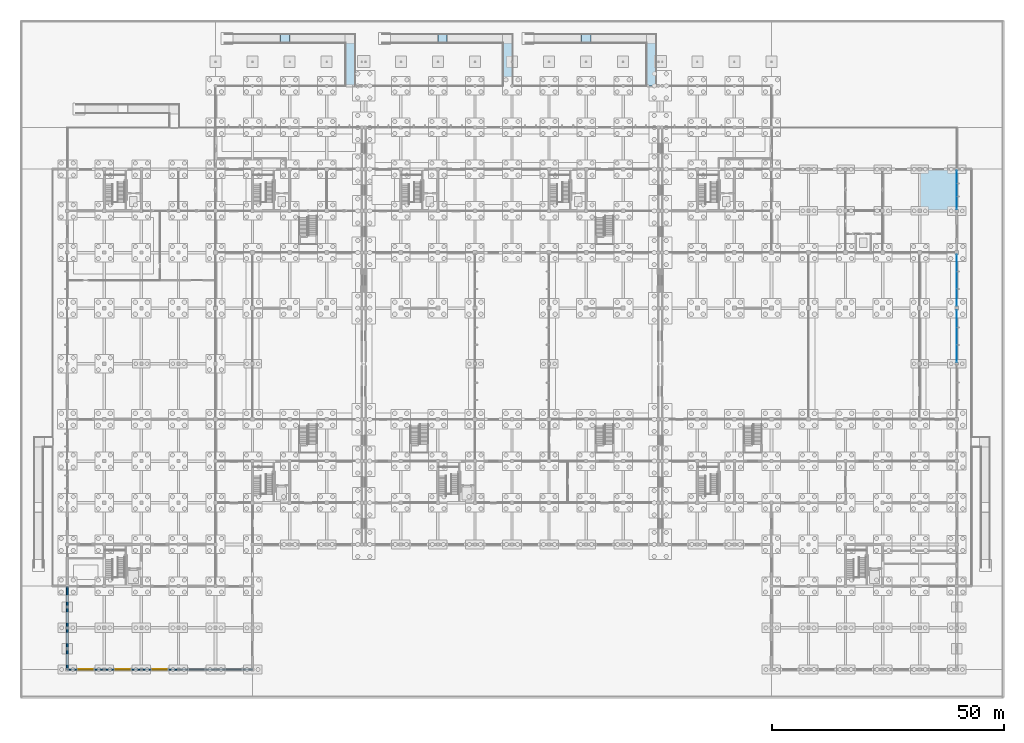
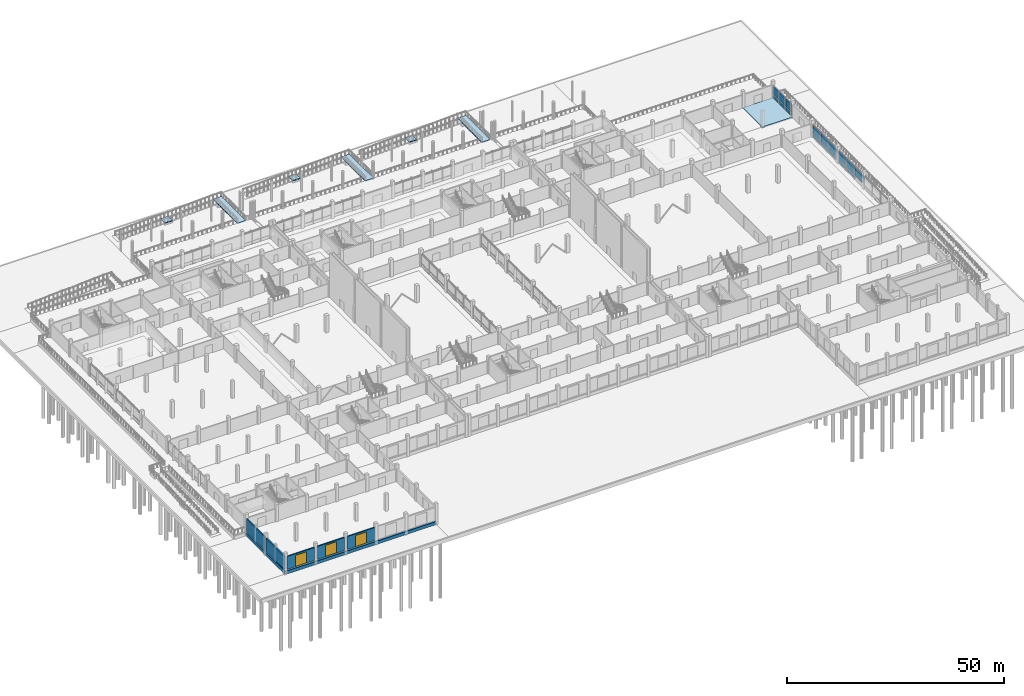
# One storey, part 39 of 72: 17 plates, 7 slabs, 7 walls, 3 doors, 3 openings, 6 elements without a shape of their own.
"""IFC4 building model written with IfcOpenShell, lengths in metres."""

from ifc_helpers import new_model, si_unit, direction, frame, frame_2d, origin, origin_2d, place, context, subcontext, project, spatial, polyline, rectangle, outline, extrude, material, layer, layer_set, type_object, element, fill, aggregate, save


model = new_model("IFC4")

# Units and contexts
model_context = context("Model", 3, precision=1e-05, world=origin(), true_north=direction((0.0, 1.0)))
body_context = subcontext(model_context, "Body", "Model", "MODEL_VIEW")
ifc_project = project(units=[si_unit("LENGTHUNIT", "METRE"), si_unit("AREAUNIT", "SQUARE_METRE"), si_unit("VOLUMEUNIT", "CUBIC_METRE"), si_unit("PLANEANGLEUNIT", "RADIAN"), si_unit("MASSUNIT", "GRAM", prefix="KILO"), si_unit("THERMODYNAMICTEMPERATUREUNIT", "KELVIN"), si_unit("POWERUNIT", "WATT")], contexts=[model_context])

# Site, building, storey
site_placement = place(None, origin())
site = spatial("IfcSite", under=ifc_project, at=site_placement, CompositionType="ELEMENT")
building_placement = place(site_placement, origin())
building = spatial("IfcBuilding", under=site, at=building_placement, Name="Kronsvod Quay Wholesale Market", CompositionType="ELEMENT")
storey_placement = place(building_placement, origin())
storey = spatial("IfcBuildingStorey", under=building, at=storey_placement, Name="L00", CompositionType="ELEMENT", Elevation=0.0)

# Curtain wall, plates
ifc_material_1 = material(Name="Thermally broken aluminium and triple low-E glazing", Category="aluminium")
curtain_wall_type_1 = type_object("IfcCurtainWallType", Name="CW_Wing90x33", PredefinedType="NOTDEFINED", material=ifc_material_1)
curtain_wall_1_placement = place(storey_placement, origin())
curtain_wall_1 = element("IfcCurtainWall", 1, at=curtain_wall_1_placement, inside=storey, type_object=curtain_wall_type_1, Name="CWGY-L00-1920-990", PredefinedType="NOTDEFINED")
ifc_material_2 = material(Name="Insulated aluminium spandrel panel", Category="aluminium")
ifc_layer_1 = layer(ifc_material_2, 0.048095703125)
ifc_layer_set_1 = layer_set([ifc_layer_1], Name="Insulated aluminium spandrel panel")
plate_type_1 = type_object("IfcPlateType", Name="CWPanel_SP2691x775", PredefinedType="CURTAIN_PANEL", material=ifc_layer_set_1)
plate_1_placement = place(storey_placement, frame((192.0, 100.71533203125, 0.150146484375), z_axis=(0.0, 0.0, 1.0), x_axis=(0.0, 1.0, 0.0)))
plate_1 = element("IfcPlate", 2, at=plate_1_placement, type_object=plate_type_1, Name="CWGY-L00-1920-990-PS1", PredefinedType="CURTAIN_PANEL", context=body_context, shape_type="SweptSolid", body=[
    extrude(rectangle(XDim=2.69091796875, YDim=0.048095703125, at=origin_2d()), origin(), (0.0, 0.0, 1.0), 0.77490234375),
])
plate_2_placement = place(storey_placement, frame((192.0, 106.28466796875, 0.150146484375), z_axis=(0.0, 0.0, 1.0), x_axis=(0.0, 1.0, 0.0)))
plate_2 = element("IfcPlate", 3, at=plate_2_placement, type_object=plate_type_1, Name="CWGY-L00-1920-990-PS3", PredefinedType="CURTAIN_PANEL", context=body_context, shape_type="SweptSolid", body=[
    extrude(rectangle(XDim=2.69091796875, YDim=0.048095703125, at=origin_2d()), origin(), (0.0, 0.0, 1.0), 0.77490234375),
])
ifc_material_3 = material(Name="Insulated aluminium spandrel panel", Category="aluminium")
ifc_layer_2 = layer(ifc_material_3, 0.048095703125)
ifc_layer_set_2 = layer_set([ifc_layer_2], Name="Insulated aluminium spandrel panel")
plate_type_2 = type_object("IfcPlateType", Name="CWPanel_SP2728x775", PredefinedType="CURTAIN_PANEL", material=ifc_layer_set_2)
plate_3_placement = place(storey_placement, frame((192.0, 103.5, 0.150146484375), z_axis=(0.0, 0.0, 1.0), x_axis=(0.0, 1.0, 0.0)))
plate_3 = element("IfcPlate", 4, at=plate_3_placement, type_object=plate_type_2, Name="CWGY-L00-1920-990-PS2", PredefinedType="CURTAIN_PANEL", context=body_context, shape_type="SweptSolid", body=[
    extrude(rectangle(XDim=2.72802734375, YDim=0.048095703125, at=origin_2d()), origin(), (0.0, 0.0, 1.0), 0.77490234375),
])

ifc_material_4 = material(Name="Thermally broken aluminium and triple low-E glazing", Category="aluminium")
curtain_wall_type_2 = type_object("IfcCurtainWallType", Name="CW_Flower120x32", PredefinedType="NOTDEFINED", material=ifc_material_4)
curtain_wall_2_placement = place(storey_placement, origin())
curtain_wall_2 = element("IfcCurtainWall", 5, at=curtain_wall_2_placement, inside=storey, type_object=curtain_wall_type_2, Name="CWGY-L00-1920-780", PredefinedType="NOTDEFINED")
ifc_material_5 = material(Name="Insulated aluminium spandrel panel", Category="aluminium")
ifc_layer_3 = layer(ifc_material_5, 0.048095703125)
ifc_layer_set_3 = layer_set([ifc_layer_3], Name="Insulated aluminium spandrel panel")
plate_type_3 = type_object("IfcPlateType", Name="CWPanel_SP3616x775", PredefinedType="CURTAIN_PANEL", material=ifc_layer_set_3)
plate_4_placement = place(storey_placement, frame((192.0, 80.302978515625, 0.150146484375), z_axis=(0.0, 0.0, 1.0), x_axis=(0.0, 1.0, 0.0)))
plate_4 = element("IfcPlate", 6, at=plate_4_placement, type_object=plate_type_3, Name="CWGY-L00-1920-780-PS1", PredefinedType="CURTAIN_PANEL", context=body_context, shape_type="SweptSolid", body=[
    extrude(rectangle(XDim=3.615966796875, YDim=0.048095703125, at=origin_2d()), origin(), (0.0, 0.0, 1.0), 0.77490234375),
])
plate_5_placement = place(storey_placement, frame((192.0, 87.72216796875, 0.150146484375), z_axis=(0.0, 0.0, 1.0), x_axis=(0.0, 1.0, 0.0)))
plate_5 = element("IfcPlate", 7, at=plate_5_placement, type_object=plate_type_3, Name="CWGY-L00-1920-780-PS3", PredefinedType="CURTAIN_PANEL", context=body_context, shape_type="SweptSolid", body=[
    extrude(rectangle(XDim=3.615966796875, YDim=0.048095703125, at=origin_2d()), origin(), (0.0, 0.0, 1.0), 0.77490234375),
])

# Curtain wall, plate
curtain_wall_3_placement = place(storey_placement, origin())
curtain_wall_3 = element("IfcCurtainWall", 8, at=curtain_wall_3_placement, inside=storey, type_object=curtain_wall_type_2, Name="CWGY-L00-1920-660", PredefinedType="NOTDEFINED")
ifc_material_6 = material(Name="Insulated aluminium spandrel panel", Category="aluminium")
ifc_layer_4 = layer(ifc_material_6, 0.048095703125)
ifc_layer_set_4 = layer_set([ifc_layer_4], Name="Insulated aluminium spandrel panel")
plate_type_4 = type_object("IfcPlateType", Name="CWPanel_SP3649x775", PredefinedType="CURTAIN_PANEL", material=ifc_layer_set_4)
plate_6_placement = place(storey_placement, frame((192.0, 75.680419921875, 0.150146484375), z_axis=(0.0, 0.0, 1.0), x_axis=(0.0, 1.0, 0.0)))
plate_6 = element("IfcPlate", 9, at=plate_6_placement, type_object=plate_type_4, Name="CWGY-L00-1920-660-PS3", PredefinedType="CURTAIN_PANEL", context=body_context, shape_type="SweptSolid", body=[
    extrude(rectangle(XDim=3.64892578125, YDim=0.048095703125, at=origin_2d()), origin(), (0.0, 0.0, 1.0), 0.77490234375),
])

# Plate
ifc_material_7 = material(Name="Insulated aluminium spandrel panel", Category="aluminium")
ifc_layer_5 = layer(ifc_material_7, 0.048095703125)
ifc_layer_set_5 = layer_set([ifc_layer_5], Name="Insulated aluminium spandrel panel")
plate_type_5 = type_object("IfcPlateType", Name="CWPanel_SP3653x775", PredefinedType="CURTAIN_PANEL", material=ifc_layer_set_5)
plate_7_placement = place(storey_placement, frame((192.0, 84.012451171875, 0.150146484375), z_axis=(0.0, 0.0, 1.0), x_axis=(0.0, 1.0, 0.0)))
plate_7 = element("IfcPlate", 10, at=plate_7_placement, type_object=plate_type_5, Name="CWGY-L00-1920-780-PS2", PredefinedType="CURTAIN_PANEL", context=body_context, shape_type="SweptSolid", body=[
    extrude(rectangle(XDim=3.653076171875, YDim=0.048095703125, at=origin_2d()), origin(), (0.0, 0.0, 1.0), 0.77490234375),
])

ifc_material_8 = material(Name="Insulated aluminium spandrel panel", Category="aluminium")
ifc_layer_6 = layer(ifc_material_8, 0.048095703125)
ifc_layer_set_6 = layer_set([ifc_layer_6], Name="Insulated aluminium spandrel panel")
plate_type_6 = type_object("IfcPlateType", Name="CWPanel_SP3687x775", PredefinedType="CURTAIN_PANEL", material=ifc_layer_set_6)
plate_8_placement = place(storey_placement, frame((192.0, 71.9375, 0.150146484375), z_axis=(0.0, 0.0, 1.0), x_axis=(0.0, 1.0, 0.0)))
plate_8 = element("IfcPlate", 11, at=plate_8_placement, type_object=plate_type_6, Name="CWGY-L00-1920-660-PS2", PredefinedType="CURTAIN_PANEL", context=body_context, shape_type="SweptSolid", body=[
    extrude(rectangle(XDim=3.68701171875, YDim=0.048095703125, at=origin_2d()), origin(), (0.0, 0.0, 1.0), 0.77490234375),
])

ifc_material_9 = material(Name="Triple low-E insulated glazing", Category="glass")
ifc_layer_7 = layer(ifc_material_9, 0.0439453125)
ifc_layer_set_7 = layer_set([ifc_layer_7], Name="Triple low-E insulated glazing")
plate_type_7 = type_object("IfcPlateType", Name="CWPanel_VS2691x2425", PredefinedType="CURTAIN_PANEL", material=ifc_layer_set_7)
plate_9_placement = place(storey_placement, frame((192.0, 100.71533203125, 1.0751953125), z_axis=(0.0, 0.0, 1.0), x_axis=(0.0, 1.0, 0.0)))
plate_9 = element("IfcPlate", 12, at=plate_9_placement, type_object=plate_type_7, Name="CWGY-L00-1920-990-PV1", PredefinedType="CURTAIN_PANEL", context=body_context, shape_type="SweptSolid", body=[
    extrude(rectangle(XDim=2.69091796875, YDim=0.0439453125, at=origin_2d()), origin(), (0.0, 0.0, 1.0), 2.425048828125),
])

plate_10_placement = place(storey_placement, frame((192.0, 106.28466796875, 1.0751953125), z_axis=(0.0, 0.0, 1.0), x_axis=(0.0, 1.0, 0.0)))
plate_10 = element("IfcPlate", 13, at=plate_10_placement, type_object=plate_type_7, Name="CWGY-L00-1920-990-PV3", PredefinedType="CURTAIN_PANEL", context=body_context, shape_type="SweptSolid", body=[
    extrude(rectangle(XDim=2.69091796875, YDim=0.0439453125, at=origin_2d()), origin(), (0.0, 0.0, 1.0), 2.425048828125),
])

ifc_material_10 = material(Name="Triple low-E insulated glazing", Category="glass")
ifc_layer_8 = layer(ifc_material_10, 0.0439453125)
ifc_layer_set_8 = layer_set([ifc_layer_8], Name="Triple low-E insulated glazing")
plate_type_8 = type_object("IfcPlateType", Name="CWPanel_VS2728x2425", PredefinedType="CURTAIN_PANEL", material=ifc_layer_set_8)
plate_11_placement = place(storey_placement, frame((192.0, 103.5, 1.0751953125), z_axis=(0.0, 0.0, 1.0), x_axis=(0.0, 1.0, 0.0)))
plate_11 = element("IfcPlate", 14, at=plate_11_placement, type_object=plate_type_8, Name="CWGY-L00-1920-990-PV2", PredefinedType="CURTAIN_PANEL", context=body_context, shape_type="SweptSolid", body=[
    extrude(rectangle(XDim=2.72802734375, YDim=0.0439453125, at=origin_2d()), origin(), (0.0, 0.0, 1.0), 2.425048828125),
])

aggregate(curtain_wall_1, [plate_1, plate_9, plate_3, plate_11, plate_2, plate_10])

ifc_material_11 = material(Name="Triple low-E insulated glazing", Category="glass")
ifc_layer_9 = layer(ifc_material_11, 0.0439453125)
ifc_layer_set_9 = layer_set([ifc_layer_9], Name="Triple low-E insulated glazing")
plate_type_9 = type_object("IfcPlateType", Name="CWPanel_VS3616x2425", PredefinedType="CURTAIN_PANEL", material=ifc_layer_set_9)
plate_12_placement = place(storey_placement, frame((192.0, 80.302978515625, 1.0751953125), z_axis=(0.0, 0.0, 1.0), x_axis=(0.0, 1.0, 0.0)))
plate_12 = element("IfcPlate", 15, at=plate_12_placement, type_object=plate_type_9, Name="CWGY-L00-1920-780-PV1", PredefinedType="CURTAIN_PANEL", context=body_context, shape_type="SweptSolid", body=[
    extrude(rectangle(XDim=3.615966796875, YDim=0.0439453125, at=origin_2d()), origin(), (0.0, 0.0, 1.0), 2.425048828125),
])

plate_13_placement = place(storey_placement, frame((192.0, 87.72216796875, 1.0751953125), z_axis=(0.0, 0.0, 1.0), x_axis=(0.0, 1.0, 0.0)))
plate_13 = element("IfcPlate", 16, at=plate_13_placement, type_object=plate_type_9, Name="CWGY-L00-1920-780-PV3", PredefinedType="CURTAIN_PANEL", context=body_context, shape_type="SweptSolid", body=[
    extrude(rectangle(XDim=3.615966796875, YDim=0.0439453125, at=origin_2d()), origin(), (0.0, 0.0, 1.0), 2.425048828125),
])

ifc_material_12 = material(Name="Triple low-E insulated glazing", Category="glass")
ifc_layer_10 = layer(ifc_material_12, 0.0439453125)
ifc_layer_set_10 = layer_set([ifc_layer_10], Name="Triple low-E insulated glazing")
plate_type_10 = type_object("IfcPlateType", Name="CWPanel_VS3649x2425", PredefinedType="CURTAIN_PANEL", material=ifc_layer_set_10)
plate_14_placement = place(storey_placement, frame((192.0, 68.194580078125, 1.0751953125), z_axis=(0.0, 0.0, 1.0), x_axis=(0.0, 1.0, 0.0)))
plate_14 = element("IfcPlate", 17, at=plate_14_placement, type_object=plate_type_10, Name="CWGY-L00-1920-660-PV1", PredefinedType="CURTAIN_PANEL", context=body_context, shape_type="SweptSolid", body=[
    extrude(rectangle(XDim=3.64892578125, YDim=0.0439453125, at=origin_2d()), origin(), (0.0, 0.0, 1.0), 2.425048828125),
])

plate_15_placement = place(storey_placement, frame((192.0, 75.680419921875, 1.0751953125), z_axis=(0.0, 0.0, 1.0), x_axis=(0.0, 1.0, 0.0)))
plate_15 = element("IfcPlate", 18, at=plate_15_placement, type_object=plate_type_10, Name="CWGY-L00-1920-660-PV3", PredefinedType="CURTAIN_PANEL", context=body_context, shape_type="SweptSolid", body=[
    extrude(rectangle(XDim=3.64892578125, YDim=0.0439453125, at=origin_2d()), origin(), (0.0, 0.0, 1.0), 2.425048828125),
])

ifc_material_13 = material(Name="Triple low-E insulated glazing", Category="glass")
ifc_layer_11 = layer(ifc_material_13, 0.0439453125)
ifc_layer_set_11 = layer_set([ifc_layer_11], Name="Triple low-E insulated glazing")
plate_type_11 = type_object("IfcPlateType", Name="CWPanel_VS3653x2425", PredefinedType="CURTAIN_PANEL", material=ifc_layer_set_11)
plate_16_placement = place(storey_placement, frame((192.0, 84.012451171875, 1.0751953125), z_axis=(0.0, 0.0, 1.0), x_axis=(0.0, 1.0, 0.0)))
plate_16 = element("IfcPlate", 19, at=plate_16_placement, type_object=plate_type_11, Name="CWGY-L00-1920-780-PV2", PredefinedType="CURTAIN_PANEL", context=body_context, shape_type="SweptSolid", body=[
    extrude(rectangle(XDim=3.653076171875, YDim=0.0439453125, at=origin_2d()), origin(), (0.0, 0.0, 1.0), 2.425048828125),
])

aggregate(curtain_wall_2, [plate_4, plate_12, plate_7, plate_16, plate_5, plate_13])

ifc_material_14 = material(Name="Triple low-E insulated glazing", Category="glass")
ifc_layer_12 = layer(ifc_material_14, 0.0439453125)
ifc_layer_set_12 = layer_set([ifc_layer_12], Name="Triple low-E insulated glazing")
plate_type_12 = type_object("IfcPlateType", Name="CWPanel_VS3687x2425", PredefinedType="CURTAIN_PANEL", material=ifc_layer_set_12)
plate_17_placement = place(storey_placement, frame((192.0, 71.9375, 1.0751953125), z_axis=(0.0, 0.0, 1.0), x_axis=(0.0, 1.0, 0.0)))
plate_17 = element("IfcPlate", 20, at=plate_17_placement, type_object=plate_type_12, Name="CWGY-L00-1920-660-PV2", PredefinedType="CURTAIN_PANEL", context=body_context, shape_type="SweptSolid", body=[
    extrude(rectangle(XDim=3.68701171875, YDim=0.0439453125, at=origin_2d()), origin(), (0.0, 0.0, 1.0), 2.425048828125),
])

aggregate(curtain_wall_3, [plate_14, plate_8, plate_17, plate_6, plate_15])

# Slab
ifc_material_15 = material(Name="Concrete C35/45", Category="concrete")
ifc_layer_13 = layer(ifc_material_15, 0.320068359375)
ifc_layer_set_13 = layer_set([ifc_layer_13], Name="Concrete C35/45")
slab_type_1 = type_object("IfcSlabType", Name="Slab_Base320", PredefinedType="BASESLAB", material=ifc_layer_set_13)
slab_1_placement = place(storey_placement, frame((0.0, 0.0, -0.320068359375)))
element("IfcSlab", 21, at=slab_1_placement, inside=storey, type_object=slab_type_1, Name="SLB-L00-034", PredefinedType="BASESLAB", context=body_context, shape_type="SweptSolid", body=[
    extrude(outline(polyline([(184.0, 99.0), (192.0, 99.0), (192.0, 108.0), (184.0, 108.0), (184.0, 99.0)])), origin(), (0.0, 0.0, 1.0), 0.320068359375),
])

# Ramp, slabs
ifc_material_16 = material(Name="Concrete C35/45", Category="concrete")
ramp_type = type_object("IfcRampType", Name="Ramp_Accessible1to20", PredefinedType="STRAIGHT_RUN_RAMP", material=ifc_material_16)
ramp_1_placement = place(storey_placement, origin())
ramp_1 = element("IfcRamp", 22, at=ramp_1_placement, inside=storey, type_object=ramp_type, Name="RMP-N01", PredefinedType="STRAIGHT_RUN_RAMP")
ifc_material_17 = material(Name="Concrete C35/45", Category="concrete")
ifc_layer_14 = layer(ifc_material_17, 0.219970703125)
ifc_layer_set_14 = layer_set([ifc_layer_14], Name="Concrete C35/45")
slab_type_2 = type_object("IfcSlabType", Name="Slab_RampLanding220", PredefinedType="LANDING", material=ifc_layer_set_14)
slab_2_placement = place(storey_placement, frame((0.0, 0.0, -0.820068359375)))
slab_2 = element("IfcSlab", 23, at=slab_2_placement, type_object=slab_type_2, Name="RMP-N01-LND", PredefinedType="LANDING", context=body_context, shape_type="SweptSolid", body=[
    extrude(outline(polyline([(46.0, 135.199951171875), (48.0, 135.199951171875), (48.0, 137.199951171875), (46.0, 137.199951171875), (46.0, 135.199951171875)])), origin(), (0.0, 0.0, 1.0), 0.219970703125),
])
slab_3_placement = place(storey_placement, frame((0.0, 0.0, -0.219970703125)))
slab_3 = element("IfcSlab", 24, at=slab_3_placement, type_object=slab_type_2, Name="RMP-N01-TOP", PredefinedType="LANDING", context=body_context, shape_type="SweptSolid", body=[
    extrude(outline(polyline([(60.0, 126.0), (62.199951171875, 126.0), (62.199951171875, 137.199951171875), (60.0, 137.199951171875), (60.0, 126.0)])), origin(), (0.0, 0.0, 1.0), 0.219970703125),
])
aggregate(ramp_1, [slab_2, slab_3])

ramp_2_placement = place(storey_placement, origin())
ramp_2 = element("IfcRamp", 25, at=ramp_2_placement, inside=storey, type_object=ramp_type, Name="RMP-N02", PredefinedType="STRAIGHT_RUN_RAMP")
slab_4_placement = place(storey_placement, frame((0.0, 0.0, -0.820068359375)))
slab_4 = element("IfcSlab", 26, at=slab_4_placement, type_object=slab_type_2, Name="RMP-N02-LND", PredefinedType="LANDING", context=body_context, shape_type="SweptSolid", body=[
    extrude(outline(polyline([(80.0, 135.199951171875), (82.0, 135.199951171875), (82.0, 137.199951171875), (80.0, 137.199951171875), (80.0, 135.199951171875)])), origin(), (0.0, 0.0, 1.0), 0.219970703125),
])
slab_5_placement = place(storey_placement, frame((0.0, 0.0, -0.219970703125)))
slab_5 = element("IfcSlab", 27, at=slab_5_placement, type_object=slab_type_2, Name="RMP-N02-TOP", PredefinedType="LANDING", context=body_context, shape_type="SweptSolid", body=[
    extrude(outline(polyline([(94.0, 126.0), (96.199951171875, 126.0), (96.199951171875, 137.199951171875), (94.0, 137.199951171875), (94.0, 126.0)])), origin(), (0.0, 0.0, 1.0), 0.219970703125),
])
aggregate(ramp_2, [slab_4, slab_5])

ramp_3_placement = place(storey_placement, origin())
ramp_3 = element("IfcRamp", 28, at=ramp_3_placement, inside=storey, type_object=ramp_type, Name="RMP-N03", PredefinedType="STRAIGHT_RUN_RAMP")
slab_6_placement = place(storey_placement, frame((0.0, 0.0, -0.820068359375)))
slab_6 = element("IfcSlab", 29, at=slab_6_placement, type_object=slab_type_2, Name="RMP-N03-LND", PredefinedType="LANDING", context=body_context, shape_type="SweptSolid", body=[
    extrude(outline(polyline([(111.0, 135.199951171875), (113.0, 135.199951171875), (113.0, 137.199951171875), (111.0, 137.199951171875), (111.0, 135.199951171875)])), origin(), (0.0, 0.0, 1.0), 0.219970703125),
])
slab_7_placement = place(storey_placement, frame((0.0, 0.0, -0.219970703125)))
slab_7 = element("IfcSlab", 30, at=slab_7_placement, type_object=slab_type_2, Name="RMP-N03-TOP", PredefinedType="LANDING", context=body_context, shape_type="SweptSolid", body=[
    extrude(outline(polyline([(125.0, 126.0), (127.199951171875, 126.0), (127.199951171875, 137.199951171875), (125.0, 137.199951171875), (125.0, 126.0)])), origin(), (0.0, 0.0, 1.0), 0.219970703125),
])
aggregate(ramp_3, [slab_6, slab_7])

# Walls
ifc_material_18 = material(Name="Precast concrete C40/50", Category="concrete")
ifc_layer_15 = layer(ifc_material_18, 0.340087890625)
ifc_layer_set_15 = layer_set([ifc_layer_15], Name="Precast concrete C40/50")
wall_type_1 = type_object("IfcWallType", Name="Wall_ExtColdSandwich340", PredefinedType="SOLIDWALL", material=ifc_layer_set_15)
for number, where, z_axis, x_axis, name in (
    (31, (0.0, 8.695068359375, 0.0), (0.0, 0.0, 1.0), (0.0, -1.0, 0.0), "EW-Y-L00-0013"),
    (32, (0.0, 17.695068359375, 0.0), (0.0, 0.0, 1.0), (0.0, -1.0, 0.0), "EW-Y-L00-0014"),
):
    element("IfcWall", number, at=place(storey_placement, frame(where, z_axis=z_axis, x_axis=x_axis)), inside=storey, type_object=wall_type_1, Name=name, PredefinedType="SOLIDWALL", context=body_context, shape_type="SweptSolid", body=[
        extrude(rectangle(XDim=8.39013671875, YDim=0.340087890625, at=frame_2d((4.195068359375, 0.0))), origin(), (0.0, 0.0, 1.0), 3.64990234375),
    ])

# Wall, opening, door
ifc_material_19 = material(Name="Precast concrete C40/50", Category="concrete")
ifc_layer_16 = layer(ifc_material_19, 0.320068359375)
ifc_layer_set_16 = layer_set([ifc_layer_16], Name="Precast concrete C40/50")
wall_type_2 = type_object("IfcWallType", Name="Wall_ExtPrecast320", PredefinedType="SOLIDWALL", material=ifc_layer_set_16)
wall_1_placement = place(storey_placement, frame((0.405029296875, 0.0, 0.0), z_axis=(0.0, 0.0, 1.0), x_axis=(1.0, 0.0, 0.0)))
wall_1 = element("IfcWall", 33, at=wall_1_placement, inside=storey, type_object=wall_type_2, Name="EW-X-L00-0001", PredefinedType="SOLIDWALL", context=body_context, shape_type="SweptSolid", body=[
    extrude(rectangle(XDim=7.25, YDim=0.320068359375, at=frame_2d((3.625, 0.0))), origin(), (0.0, 0.0, 1.0), 3.64990234375),
])
opening_1_placement = place(wall_1_placement, frame((2.125, 0.0, 0.0)))
opening_1 = element("IfcOpeningElement", 34, at=opening_1_placement, cuts=wall_1, Name="Opening ED-001", PredefinedType="OPENING", context=body_context, shape_type="SweptSolid", body=[
    extrude(rectangle(XDim=3.0, YDim=3.199951171875, at=frame_2d((1.5, 1.60009765625))), frame((0.0, 0.169921875, 0.0), z_axis=(0.0, -1.0, 0.0), x_axis=(1.0, 0.0, 0.0)), (0.0, 0.0, 1.0), 0.340087890625),
])
ifc_material_20 = material(Name="Insulated galvanized steel sectional shutter", Category="steel")
door_type = type_object("IfcDoorType", Name="Door_DockShutter300x320", OperationType="ROLLINGUP", PredefinedType="GATE", material=ifc_material_20)
door_1_placement = place(opening_1_placement, origin())
door_1 = element("IfcDoor", 35, at=door_1_placement, inside=storey, type_object=door_type, Name="Loading Dock Door ED-001", OperationType="ROLLINGUP", OverallHeight=3.199951171875, OverallWidth=3.0, PredefinedType="GATE", context=body_context, shape_type="SweptSolid", body=[
    extrude(rectangle(XDim=3.0, YDim=3.199951171875, at=frame_2d((1.5, 1.60009765625))), frame((0.0, 0.02490234375, 0.0), z_axis=(0.0, -1.0, 0.0), x_axis=(1.0, 0.0, 0.0)), (0.0, 0.0, 1.0), 0.050048828125),
])
fill(opening_1, door_1)

wall_2_placement = place(storey_placement, frame((8.344970703125, 0.0, 0.0), z_axis=(0.0, 0.0, 1.0), x_axis=(1.0, 0.0, 0.0)))
wall_2 = element("IfcWall", 36, at=wall_2_placement, inside=storey, type_object=wall_type_2, Name="EW-X-L00-0002", PredefinedType="SOLIDWALL", context=body_context, shape_type="SweptSolid", body=[
    extrude(rectangle(XDim=7.31005859375, YDim=0.320068359375, at=frame_2d((3.655029296875, 0.0))), origin(), (0.0, 0.0, 1.0), 3.64990234375),
])
opening_2_placement = place(wall_2_placement, frame((2.155029296875, 0.0, 0.0)))
opening_2 = element("IfcOpeningElement", 37, at=opening_2_placement, cuts=wall_2, Name="Opening ED-002", PredefinedType="OPENING", context=body_context, shape_type="SweptSolid", body=[
    extrude(rectangle(XDim=3.0, YDim=3.199951171875, at=frame_2d((1.5, 1.60009765625))), frame((0.0, 0.169921875, 0.0), z_axis=(0.0, -1.0, 0.0), x_axis=(1.0, 0.0, 0.0)), (0.0, 0.0, 1.0), 0.340087890625),
])
door_2_placement = place(opening_2_placement, origin())
door_2 = element("IfcDoor", 38, at=door_2_placement, inside=storey, type_object=door_type, Name="Loading Dock Door ED-002", OperationType="ROLLINGUP", OverallHeight=3.199951171875, OverallWidth=3.0, PredefinedType="GATE", context=body_context, shape_type="SweptSolid", body=[
    extrude(rectangle(XDim=3.0, YDim=3.199951171875, at=frame_2d((1.5, 1.60009765625))), frame((0.0, 0.02490234375, 0.0), z_axis=(0.0, -1.0, 0.0), x_axis=(1.0, 0.0, 0.0)), (0.0, 0.0, 1.0), 0.050048828125),
])
fill(opening_2, door_2)

wall_3_placement = place(storey_placement, frame((16.344970703125, 0.0, 0.0), z_axis=(0.0, 0.0, 1.0), x_axis=(1.0, 0.0, 0.0)))
wall_3 = element("IfcWall", 39, at=wall_3_placement, inside=storey, type_object=wall_type_2, Name="EW-X-L00-0003", PredefinedType="SOLIDWALL", context=body_context, shape_type="SweptSolid", body=[
    extrude(rectangle(XDim=7.31005859375, YDim=0.320068359375, at=frame_2d((3.655029296875, 0.0))), origin(), (0.0, 0.0, 1.0), 3.64990234375),
])
opening_3_placement = place(wall_3_placement, frame((2.155029296875, 0.0, 0.0)))
opening_3 = element("IfcOpeningElement", 40, at=opening_3_placement, cuts=wall_3, Name="Opening ED-003", PredefinedType="OPENING", context=body_context, shape_type="SweptSolid", body=[
    extrude(rectangle(XDim=3.0, YDim=3.199951171875, at=frame_2d((1.5, 1.60009765625))), frame((0.0, 0.169921875, 0.0), z_axis=(0.0, -1.0, 0.0), x_axis=(1.0, 0.0, 0.0)), (0.0, 0.0, 1.0), 0.340087890625),
])
door_3_placement = place(opening_3_placement, origin())
door_3 = element("IfcDoor", 41, at=door_3_placement, inside=storey, type_object=door_type, Name="Loading Dock Door ED-003", OperationType="ROLLINGUP", OverallHeight=3.199951171875, OverallWidth=3.0, PredefinedType="GATE", context=body_context, shape_type="SweptSolid", body=[
    extrude(rectangle(XDim=3.0, YDim=3.199951171875, at=frame_2d((1.5, 1.60009765625))), frame((0.0, 0.02490234375, 0.0), z_axis=(0.0, -1.0, 0.0), x_axis=(1.0, 0.0, 0.0)), (0.0, 0.0, 1.0), 0.050048828125),
])
fill(opening_3, door_3)

# Walls
ifc_material_21 = material(Name="Precast concrete C40/50", Category="concrete")
ifc_layer_17 = layer(ifc_material_21, 0.39990234375)
ifc_layer_set_17 = layer_set([ifc_layer_17], Name="Precast concrete C40/50")
wall_type_3 = type_object("IfcWallType", Name="Wall_PlinthSkirt400", PredefinedType="STANDARD", material=ifc_layer_set_17)
wall_4_placement = place(storey_placement, frame((0.0, 0.0, -1.25), z_axis=(0.0, 0.0, 1.0), x_axis=(0.0, 1.0, 0.0)))
element("IfcWall", 42, at=wall_4_placement, inside=storey, type_object=wall_type_3, Name="RW-W0", PredefinedType="STANDARD", context=body_context, shape_type="SweptSolid", body=[
    extrude(rectangle(XDim=18.0, YDim=0.39990234375, at=frame_2d((9.0, 0.0))), origin(), (0.0, 0.0, 1.0), 0.89990234375),
])
wall_5_placement = place(storey_placement, frame((0.0, 0.0, -1.25), z_axis=(0.0, 0.0, 1.0), x_axis=(1.0, 0.0, 0.0)))
element("IfcWall", 43, at=wall_5_placement, inside=storey, type_object=wall_type_3, Name="RW-SW", PredefinedType="STANDARD", context=body_context, shape_type="SweptSolid", body=[
    extrude(rectangle(XDim=40.0, YDim=0.39990234375, at=frame_2d((20.0, 0.0))), origin(), (0.0, 0.0, 1.0), 0.89990234375),
])

save(model, "model.ifc")
